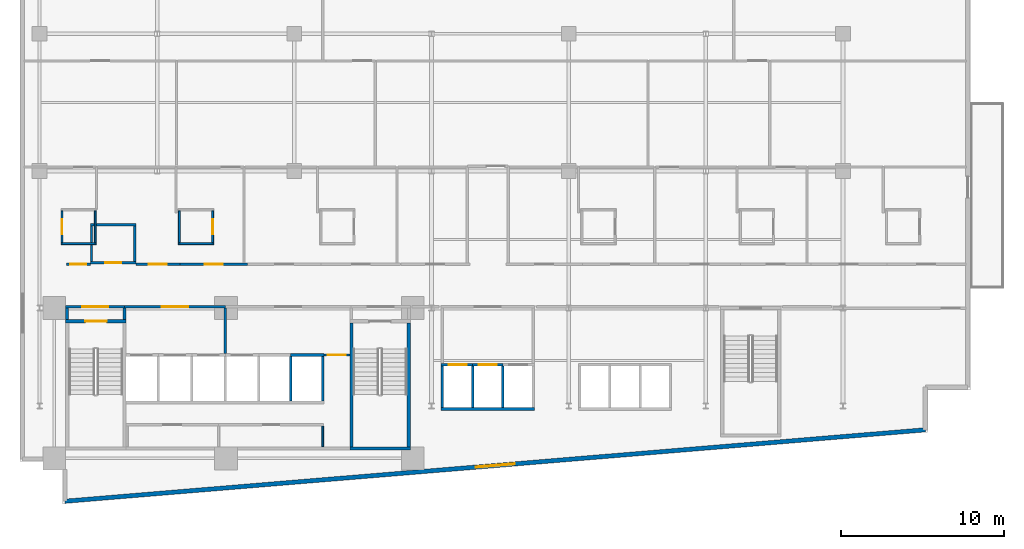
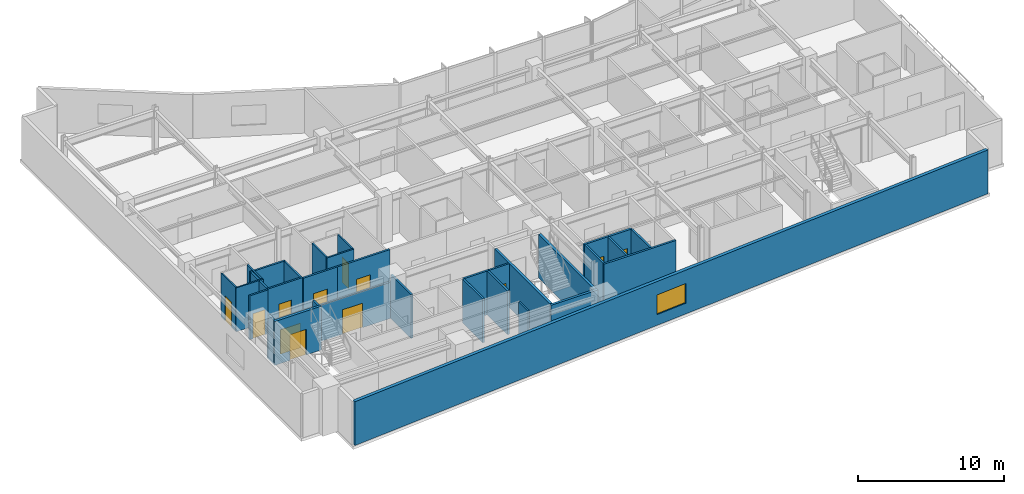
# One storey, part 10 of 19: 34 walls, 12 doors, 1 window, 13 openings.
"""IFC4 building model written with IfcOpenShell, lengths in metres."""

from ifc_helpers import new_model, si_unit, direction, frame, frame_2d, origin, place, context, subcontext, project, spatial, rectangle, extrude, material, layer, layer_set, type_object, element, fill, save


model = new_model("IFC4")

# Units and contexts
model_context = context("Model", 3, precision=1e-05, world=origin(), true_north=direction((0.0, 1.0)))
body_context = subcontext(model_context, "Body", "Model", "MODEL_VIEW")
ifc_project = project(units=[si_unit("LENGTHUNIT", "METRE"), si_unit("AREAUNIT", "SQUARE_METRE"), si_unit("VOLUMEUNIT", "CUBIC_METRE"), si_unit("PLANEANGLEUNIT", "RADIAN"), si_unit("MASSUNIT", "GRAM", prefix="KILO")], contexts=[model_context])

# Site, building, storey
site_placement = place(None, origin())
site = spatial("IfcSite", under=ifc_project, at=site_placement, CompositionType="ELEMENT")
building_placement = place(site_placement, origin())
building = spatial("IfcBuilding", under=site, at=building_placement, Name="Varnakote Quay Hospital", CompositionType="ELEMENT")
storey_placement = place(building_placement, frame((0.0, 0.0, 93.60009765625)))
storey = spatial("IfcBuildingStorey", under=building, at=storey_placement, Name="L23", CompositionType="ELEMENT", Elevation=93.60009765625)

# Wall
ifc_material_1 = material(Name="Fire-rated acoustic gypsum stud wall", Category="gypsum")
ifc_layer_1 = layer(ifc_material_1, 0.159912109375)
ifc_layer_set_1 = layer_set([ifc_layer_1], Name="Fire-rated acoustic gypsum stud wall")
wall_type_1 = type_object("IfcWallType", Name="WL-COMP-160", PredefinedType="PARTITIONING", material=ifc_layer_set_1)
wall_1_placement = place(storey_placement, frame((2.8798828125, 11.300048828125, 0.0), z_axis=(0.0, 0.0, 1.0), x_axis=(0.0, 1.0, 0.0)))
element("IfcWall", 1, at=wall_1_placement, inside=storey, type_object=wall_type_1, Name="L23 West Stair Vestibule West Wall", PredefinedType="PARTITIONING", context=body_context, shape_type="SweptSolid", body=[
    extrude(rectangle(XDim=0.699951171875, YDim=0.159912109375, at=frame_2d((0.35009765625, 0.0))), origin(), (0.0, 0.0, 1.0), 3.669921875),
])

# Wall, opening, door
wall_2_placement = place(storey_placement, frame((2.800048828125, 12.080078125, 0.0), z_axis=(0.0, 0.0, 1.0), x_axis=(1.0, 0.0, 0.0)))
wall_2 = element("IfcWall", 2, at=wall_2_placement, inside=storey, type_object=wall_type_1, Name="L23 West Stair Vestibule Smoke Wall", PredefinedType="PARTITIONING", context=body_context, shape_type="SweptSolid", body=[
    extrude(rectangle(XDim=3.599853515625, YDim=0.159912109375, at=frame_2d((1.7998046875, 0.0))), origin(), (0.0, 0.0, 1.0), 3.032958984375),
])
opening_1_placement = place(wall_2_placement, frame((1.0, 0.0, 0.0)))
opening_1 = element("IfcOpeningElement", 3, at=opening_1_placement, cuts=wall_2, Name="Opening D-ST1L-L23", PredefinedType="OPENING", context=body_context, shape_type="SweptSolid", body=[
    extrude(rectangle(XDim=1.60009765625, YDim=2.050048828125, at=frame_2d((0.800048828125, 1.02490234375))), frame((0.0, 0.08984375, 0.0), z_axis=(0.0, -1.0, 0.0), x_axis=(1.0, 0.0, 0.0)), (0.0, 0.0, 1.0), 0.179931640625),
])
ifc_material_2 = material(Name="Fire-rated double smoke lobby door")
door_type_1 = type_object("IfcDoorType", Name="DR-LOBBY-FD60S-1600x2150", OperationType="NOTDEFINED", PredefinedType="DOOR", material=ifc_material_2)
door_1_placement = place(opening_1_placement, origin())
door_1 = element("IfcDoor", 4, at=door_1_placement, inside=storey, type_object=door_type_1, Name="L23 West Stair Vestibule Smoke Door", OperationType="DOUBLE_DOOR_SINGLE_SWING", OverallHeight=2.050048828125, OverallWidth=1.60009765625, PredefinedType="DOOR", context=body_context, shape_type="SweptSolid", body=[
    extrude(rectangle(XDim=1.60009765625, YDim=2.050048828125, at=frame_2d((0.800048828125, 1.02490234375))), frame((0.0, 0.02490234375, 0.0), z_axis=(0.0, -1.0, 0.0), x_axis=(1.0, 0.0, 0.0)), (0.0, 0.0, 1.0), 0.050048828125),
])
fill(opening_1, door_1)

# Wall
wall_3_placement = place(storey_placement, frame((6.39990234375, 11.300048828125, 0.0), z_axis=(0.0, 0.0, 1.0), x_axis=(0.0, 1.0, 0.0)))
element("IfcWall", 5, at=wall_3_placement, inside=storey, type_object=wall_type_1, Name="L23 Firefighting Lobby West Wall", PredefinedType="PARTITIONING", context=body_context, shape_type="SweptSolid", body=[
    extrude(rectangle(XDim=0.699951171875, YDim=0.159912109375, at=frame_2d((0.35009765625, 0.0))), origin(), (0.0, 0.0, 1.0), 3.669921875),
])

# Wall, opening, door
wall_4_placement = place(storey_placement, frame((6.39990234375, 12.080078125, 0.0), z_axis=(0.0, 0.0, 1.0), x_axis=(1.0, 0.0, 0.0)))
wall_4 = element("IfcWall", 6, at=wall_4_placement, inside=storey, type_object=wall_type_1, Name="L23 Firefighting Lift Lobby Compartment Wall", PredefinedType="PARTITIONING", context=body_context, shape_type="SweptSolid", body=[
    extrude(rectangle(XDim=6.18017578125, YDim=0.159912109375, at=frame_2d((3.090087890625, 0.0))), origin(), (0.0, 0.0, 1.0), 3.032958984375),
])
opening_2_placement = place(wall_4_placement, frame((2.2900390625, 0.0, 0.0)))
opening_2 = element("IfcOpeningElement", 7, at=opening_2_placement, cuts=wall_4, Name="Opening D-FFL-L23", PredefinedType="OPENING", context=body_context, shape_type="SweptSolid", body=[
    extrude(rectangle(XDim=1.60009765625, YDim=2.050048828125, at=frame_2d((0.800048828125, 1.02490234375))), frame((0.0, 0.08984375, 0.0), z_axis=(0.0, -1.0, 0.0), x_axis=(1.0, 0.0, 0.0)), (0.0, 0.0, 1.0), 0.179931640625),
])
door_2_placement = place(opening_2_placement, origin())
door_2 = element("IfcDoor", 8, at=door_2_placement, inside=storey, type_object=door_type_1, Name="L23 Firefighting Smoke Vestibule Door", OperationType="DOUBLE_DOOR_SINGLE_SWING", OverallHeight=2.050048828125, OverallWidth=1.60009765625, PredefinedType="DOOR", context=body_context, shape_type="SweptSolid", body=[
    extrude(rectangle(XDim=1.60009765625, YDim=2.050048828125, at=frame_2d((0.800048828125, 1.02490234375))), frame((0.0, 0.02490234375, 0.0), z_axis=(0.0, -1.0, 0.0), x_axis=(1.0, 0.0, 0.0)), (0.0, 0.0, 1.0), 0.050048828125),
])
fill(opening_2, door_2)

# Walls
wall_5_placement = place(storey_placement, frame((12.580078125, 9.2099609375, 0.0), z_axis=(0.0, 0.0, 1.0), x_axis=(0.0, 1.0, 0.0)))
element("IfcWall", 9, at=wall_5_placement, inside=storey, type_object=wall_type_1, Name="L23 Firefighting to Service Lobby Wall", PredefinedType="PARTITIONING", context=body_context, shape_type="SweptSolid", body=[
    extrude(rectangle(XDim=2.7900390625, YDim=0.159912109375, at=frame_2d((1.39501953125, 0.0))), origin(), (0.0, 0.0, 1.0), 3.669921875),
])
ifc_material_3 = material(Name="Moisture-resistant bathroom partition", Category="gypsum")
ifc_layer_2 = layer(ifc_material_3, 0.114990234375)
ifc_layer_set_2 = layer_set([ifc_layer_2], Name="Moisture-resistant bathroom partition")
wall_type_2 = type_object("IfcWallType", Name="WL-ENS-115", PredefinedType="PARTITIONING", material=ifc_layer_set_2)
wall_6_placement = place(storey_placement, frame((2.514892578125, 15.952392578125, 0.0), z_axis=(0.0, 0.0, 1.0), x_axis=(1.0, 0.0, 0.0)))
element("IfcWall", 10, at=wall_6_placement, inside=storey, type_object=wall_type_2, Name="L23 Inpatient En-Suite Bathroom 01 S Wall", PredefinedType="PARTITIONING", context=body_context, shape_type="SweptSolid", body=[
    extrude(rectangle(XDim=2.150146484375, YDim=0.114990234375, at=frame_2d((1.0751953125, 0.0))), origin(), (0.0, 0.0, 1.0), 3.669921875),
])

# Wall, opening, door
wall_7_placement = place(storey_placement, frame((2.572509765625, 16.010009765625, 0.0), z_axis=(0.0, 0.0, 1.0), x_axis=(0.0, 1.0, 0.0)))
wall_7 = element("IfcWall", 11, at=wall_7_placement, inside=storey, type_object=wall_type_2, Name="L23 Inpatient En-Suite Bathroom 01 W Wall", PredefinedType="PARTITIONING", context=body_context, shape_type="SweptSolid", body=[
    extrude(rectangle(XDim=1.949951171875, YDim=0.114990234375, at=frame_2d((0.97509765625, 0.0))), origin(), (0.0, 0.0, 1.0), 3.669921875),
])
opening_3_placement = place(wall_7_placement, frame((0.514892578125, 0.0, 0.0)))
opening_3 = element("IfcOpeningElement", 12, at=opening_3_placement, cuts=wall_7, Name="Opening D-L23-ENS01", PredefinedType="OPENING", context=body_context, shape_type="SweptSolid", body=[
    extrude(rectangle(XDim=0.919921875, YDim=2.10009765625, at=frame_2d((0.4599609375, 1.050048828125))), frame((0.0, 0.0673828125, 0.0), z_axis=(0.0, -1.0, 0.0), x_axis=(1.0, 0.0, 0.0)), (0.0, 0.0, 1.0), 0.135009765625),
])
ifc_material_4 = material(Name="Moisture-sealed en-suite bathroom door")
door_type_2 = type_object("IfcDoorType", Name="DR-ENS-920x2100", OperationType="NOTDEFINED", PredefinedType="DOOR", material=ifc_material_4)
door_3_placement = place(opening_3_placement, origin())
door_3 = element("IfcDoor", 13, at=door_3_placement, inside=storey, type_object=door_type_2, Name="L23 Inpatient En-Suite Bathroom 01 Door", OperationType="SINGLE_SWING_LEFT", OverallHeight=2.10009765625, OverallWidth=0.919921875, PredefinedType="DOOR", context=body_context, shape_type="SweptSolid", body=[
    extrude(rectangle(XDim=0.919921875, YDim=2.10009765625, at=frame_2d((0.4599609375, 1.050048828125))), frame((0.0, 0.02490234375, 0.0), z_axis=(0.0, -1.0, 0.0), x_axis=(1.0, 0.0, 0.0)), (0.0, 0.0, 1.0), 0.050048828125),
])
fill(opening_3, door_3)

# Walls
wall_8_placement = place(storey_placement, frame((4.607421875, 16.010009765625, 0.0), z_axis=(0.0, 0.0, 1.0), x_axis=(0.0, 1.0, 0.0)))
element("IfcWall", 14, at=wall_8_placement, inside=storey, type_object=wall_type_2, Name="L23 Inpatient En-Suite Bathroom 01 E Wall", PredefinedType="PARTITIONING", context=body_context, shape_type="SweptSolid", body=[
    extrude(rectangle(XDim=1.949951171875, YDim=0.114990234375, at=frame_2d((0.97509765625, 0.0))), origin(), (0.0, 0.0, 1.0), 3.669921875),
])
wall_9_placement = place(storey_placement, frame((9.705078125, 15.952392578125, 0.0), z_axis=(0.0, 0.0, 1.0), x_axis=(1.0, 0.0, 0.0)))
element("IfcWall", 15, at=wall_9_placement, inside=storey, type_object=wall_type_2, Name="L23 Inpatient En-Suite Bathroom 02 S Wall", PredefinedType="PARTITIONING", context=body_context, shape_type="SweptSolid", body=[
    extrude(rectangle(XDim=2.14990234375, YDim=0.114990234375, at=frame_2d((1.074951171875, 0.0))), origin(), (0.0, 0.0, 1.0), 3.669921875),
])
wall_10_placement = place(storey_placement, frame((9.762451171875, 16.010009765625, 0.0), z_axis=(0.0, 0.0, 1.0), x_axis=(0.0, 1.0, 0.0)))
element("IfcWall", 16, at=wall_10_placement, inside=storey, type_object=wall_type_2, Name="L23 Inpatient En-Suite Bathroom 02 W Wall", PredefinedType="PARTITIONING", context=body_context, shape_type="SweptSolid", body=[
    extrude(rectangle(XDim=1.949951171875, YDim=0.114990234375, at=frame_2d((0.97509765625, 0.0))), origin(), (0.0, 0.0, 1.0), 3.669921875),
])

# Wall, opening, door
wall_11_placement = place(storey_placement, frame((11.797607421875, 16.010009765625, 0.0), z_axis=(0.0, 0.0, 1.0), x_axis=(0.0, 1.0, 0.0)))
wall_11 = element("IfcWall", 17, at=wall_11_placement, inside=storey, type_object=wall_type_2, Name="L23 Inpatient En-Suite Bathroom 02 E Wall", PredefinedType="PARTITIONING", context=body_context, shape_type="SweptSolid", body=[
    extrude(rectangle(XDim=1.949951171875, YDim=0.114990234375, at=frame_2d((0.97509765625, 0.0))), origin(), (0.0, 0.0, 1.0), 3.669921875),
])
opening_4_placement = place(wall_11_placement, frame((0.514892578125, 0.0, 0.0)))
opening_4 = element("IfcOpeningElement", 18, at=opening_4_placement, cuts=wall_11, Name="Opening D-L23-ENS02", PredefinedType="OPENING", context=body_context, shape_type="SweptSolid", body=[
    extrude(rectangle(XDim=0.919921875, YDim=2.10009765625, at=frame_2d((0.4599609375, 1.050048828125))), frame((0.0, 0.0673828125, 0.0), z_axis=(0.0, -1.0, 0.0), x_axis=(1.0, 0.0, 0.0)), (0.0, 0.0, 1.0), 0.135009765625),
])
door_4_placement = place(opening_4_placement, origin())
door_4 = element("IfcDoor", 19, at=door_4_placement, inside=storey, type_object=door_type_2, Name="L23 Inpatient En-Suite Bathroom 02 Door", OperationType="SINGLE_SWING_RIGHT", OverallHeight=2.10009765625, OverallWidth=0.919921875, PredefinedType="DOOR", context=body_context, shape_type="SweptSolid", body=[
    extrude(rectangle(XDim=0.919921875, YDim=2.10009765625, at=frame_2d((0.4599609375, 1.050048828125))), frame((0.0, 0.02490234375, 0.0), z_axis=(0.0, -1.0, 0.0), x_axis=(1.0, 0.0, 0.0)), (0.0, 0.0, 1.0), 0.050048828125),
])
fill(opening_4, door_4)

# Wall, opening, window
ifc_material_5 = material(Name="Precast concrete N50 (f'c 50 MPa)", Category="concrete")
ifc_layer_3 = layer(ifc_material_5, 0.260009765625)
ifc_layer_set_3 = layer_set([ifc_layer_3], Name="Precast concrete N50 (f'c 50 MPa)")
wall_type_3 = type_object("IfcWallType", Name="WL-EXT-BRICK-260", PredefinedType="STANDARD", material=ifc_layer_set_3)
wall_12_placement = place(storey_placement, frame((2.760009765625, 0.173828125, 0.0), z_axis=(0.0, 0.0, 1.0), x_axis=(0.996571478456, 0.082736257641, 0.0)))
wall_12 = element("IfcWall", 20, at=wall_12_placement, inside=storey, type_object=wall_type_3, Name="L23 Brick-Faced Precast Exterior Wall", PredefinedType="STANDARD", context=body_context, shape_type="SweptSolid", body=[
    extrude(rectangle(XDim=52.861083984375, YDim=0.260009765625, at=frame_2d((26.4306640625, 0.0))), origin(), (0.0, 0.0, 1.0), 3.669921875),
])
opening_5_placement = place(wall_12_placement, frame((25.230712890625, 0.0, 0.89990234375)))
opening_5 = element("IfcOpeningElement", 21, at=opening_5_placement, cuts=wall_12, Name="Opening WN-0106", PredefinedType="OPENING", context=body_context, shape_type="SweptSolid", body=[
    extrude(rectangle(XDim=2.39990234375, YDim=1.64990234375, at=frame_2d((1.199951171875, 0.824951171875))), frame((0.0, 0.139892578125, 0.0), z_axis=(0.0, -1.0, 0.0), x_axis=(1.0, 0.0, 0.0)), (0.0, 0.0, 1.0), 0.280029296875),
])
ifc_material_6 = material(Name="Double-glazed low-E solar glass", Category="glass")
window_type = type_object("IfcWindowType", Name="WIN-CLIN-2400x1650", PartitioningType="SINGLE_PANEL", PredefinedType="WINDOW", material=ifc_material_6)
window_placement = place(opening_5_placement, origin())
window = element("IfcWindow", 22, at=window_placement, inside=storey, type_object=window_type, Name="L23 Solar-Control Clinical Window", OverallHeight=1.64990234375, OverallWidth=2.39990234375, PartitioningType="SINGLE_PANEL", PredefinedType="WINDOW", context=body_context, shape_type="SweptSolid", body=[
    extrude(rectangle(XDim=2.39990234375, YDim=1.64990234375, at=frame_2d((1.199951171875, 0.824951171875))), frame((0.0, 0.030029296875, 0.0), z_axis=(0.0, -1.0, 0.0), x_axis=(1.0, 0.0, 0.0)), (0.0, 0.0, 1.0), 0.06005859375),
])
fill(opening_5, window)

# Walls
ifc_material_7 = material(Name="Concrete N50 (f'c 50 MPa)", Category="concrete")
ifc_layer_4 = layer(ifc_material_7, 0.14990234375)
ifc_layer_set_4 = layer_set([ifc_layer_4], Name="Concrete N50 (f'c 50 MPa)")
wall_type_4 = type_object("IfcWallType", Name="WL-SHAFT-N50-150", PredefinedType="SHEAR", material=ifc_layer_set_4)
wall_13_placement = place(storey_placement, frame((16.574951171875, 6.300048828125, 0.0), z_axis=(0.0, 0.0, 1.0), x_axis=(0.0, 1.0, 0.0)))
element("IfcWall", 23, at=wall_13_placement, inside=storey, type_object=wall_type_4, Name="L23 LF-PH1 Hoistway Divider Wall", PredefinedType="SHEAR", context=body_context, shape_type="SweptSolid", body=[
    extrude(rectangle(XDim=2.75, YDim=0.14990234375, at=frame_2d((1.375, 0.0))), origin(), (0.0, 0.0, 1.0), 3.669921875),
])
for number, where, z_axis, x_axis, name in (
    (24, (27.72509765625, 5.89990234375, 0.0), (0.0, 0.0, 1.0), (0.0, 1.0, 0.0), "L23 LF-PL1 Hoistway Divider Wall"),
    (25, (29.574951171875, 5.89990234375, 0.0), (0.0, 0.0, 1.0), (0.0, 1.0, 0.0), "L23 LF-PL2 Hoistway Divider Wall"),
):
    element("IfcWall", number, at=place(storey_placement, frame(where, z_axis=z_axis, x_axis=x_axis)), inside=storey, type_object=wall_type_4, Name=name, PredefinedType="SHEAR", context=body_context, shape_type="SweptSolid", body=[
        extrude(rectangle(XDim=2.550048828125, YDim=0.14990234375, at=frame_2d((1.27490234375, 0.0))), origin(), (0.0, 0.0, 1.0), 3.669921875),
    ])
ifc_material_8 = material(Name="Concrete N50 (f'c 50 MPa)", Category="concrete")
ifc_layer_5 = layer(ifc_material_8, 0.159912109375)
ifc_layer_set_5 = layer_set([ifc_layer_5], Name="Concrete N50 (f'c 50 MPa)")
wall_type_5 = type_object("IfcWallType", Name="WL-SHAFT-N50-160", PredefinedType="SHEAR", material=ifc_layer_set_5)
wall_14_placement = place(storey_placement, frame((18.530029296875, 6.300048828125, 0.0), z_axis=(0.0, 0.0, 1.0), x_axis=(0.0, 1.0, 0.0)))
element("IfcWall", 26, at=wall_14_placement, inside=storey, type_object=wall_type_5, Name="L23 REAR Lift Bank East Shear Wall", PredefinedType="SHEAR", context=body_context, shape_type="SweptSolid", body=[
    extrude(rectangle(XDim=2.75, YDim=0.159912109375, at=frame_2d((1.375, 0.0))), origin(), (0.0, 0.0, 1.0), 3.669921875),
])
wall_15_placement = place(storey_placement, frame((16.574951171875, 9.1298828125, 0.0), z_axis=(0.0, 0.0, 1.0), x_axis=(1.0, 0.0, 0.0)))
element("IfcWall", 27, at=wall_15_placement, inside=storey, type_object=wall_type_5, Name="L23 LF-PH2 Hoistway Front Wall", PredefinedType="SHEAR", context=body_context, shape_type="SweptSolid", body=[
    extrude(rectangle(XDim=2.03515625, YDim=0.159912109375, at=frame_2d((1.017578125, 0.0))), origin(), (0.0, 0.0, 1.0), 3.669921875),
])
wall_16_placement = place(storey_placement, frame((25.7900390625, 5.820068359375, 0.0), z_axis=(0.0, 0.0, 1.0), x_axis=(1.0, 0.0, 0.0)))
element("IfcWall", 28, at=wall_16_placement, inside=storey, type_object=wall_type_5, Name="L23 LOW Lift Bank Back Shear Wall", PredefinedType="SHEAR", context=body_context, shape_type="SweptSolid", body=[
    extrude(rectangle(XDim=5.719970703125, YDim=0.159912109375, at=frame_2d((2.85986328125, 0.0))), origin(), (0.0, 0.0, 1.0), 3.669921875),
])
wall_17_placement = place(storey_placement, frame((25.8701171875, 5.89990234375, 0.0), z_axis=(0.0, 0.0, 1.0), x_axis=(0.0, 1.0, 0.0)))
element("IfcWall", 29, at=wall_17_placement, inside=storey, type_object=wall_type_5, Name="L23 LOW Lift Bank West Shear Wall", PredefinedType="SHEAR", context=body_context, shape_type="SweptSolid", body=[
    extrude(rectangle(XDim=2.550048828125, YDim=0.159912109375, at=frame_2d((1.27490234375, 0.0))), origin(), (0.0, 0.0, 1.0), 3.669921875),
])

# Wall, opening, door
wall_18_placement = place(storey_placement, frame((25.7900390625, 8.530029296875, 0.0), z_axis=(0.0, 0.0, 1.0), x_axis=(1.0, 0.0, 0.0)))
wall_18 = element("IfcWall", 30, at=wall_18_placement, inside=storey, type_object=wall_type_5, Name="L23 LF-PL1 Hoistway Front Wall", PredefinedType="SHEAR", context=body_context, shape_type="SweptSolid", body=[
    extrude(rectangle(XDim=1.93505859375, YDim=0.159912109375, at=frame_2d((0.967529296875, 0.0))), origin(), (0.0, 0.0, 1.0), 3.669921875),
])
opening_6_placement = place(wall_18_placement, frame((0.4599609375, 0.0, 0.0)))
opening_6 = element("IfcOpeningElement", 31, at=opening_6_placement, cuts=wall_18, Name="Opening LD-PL1-L23", PredefinedType="OPENING", context=body_context, shape_type="SweptSolid", body=[
    extrude(rectangle(XDim=1.10009765625, YDim=2.14990234375, at=frame_2d((0.550048828125, 1.074951171875))), frame((0.0, 0.08984375, 0.0), z_axis=(0.0, -1.0, 0.0), x_axis=(1.0, 0.0, 0.0)), (0.0, 0.0, 1.0), 0.179931640625),
])
ifc_material_9 = material(Name="Brushed bronze lift landing sliding door")
door_type_3 = type_object("IfcDoorType", Name="DR-LIFT-LD-1100x2150", OperationType="NOTDEFINED", PredefinedType="DOOR", material=ifc_material_9)
door_5_placement = place(opening_6_placement, origin())
door_5 = element("IfcDoor", 32, at=door_5_placement, inside=storey, type_object=door_type_3, Name="L23 LF-PL1 Lift Landing Sliding Door", OperationType="SLIDING_TO_LEFT", OverallHeight=2.14990234375, OverallWidth=1.10009765625, PredefinedType="DOOR", context=body_context, shape_type="SweptSolid", body=[
    extrude(rectangle(XDim=1.10009765625, YDim=2.14990234375, at=frame_2d((0.550048828125, 1.074951171875))), frame((0.0, 0.02490234375, 0.0), z_axis=(0.0, -1.0, 0.0), x_axis=(1.0, 0.0, 0.0)), (0.0, 0.0, 1.0), 0.050048828125),
])
fill(opening_6, door_5)

wall_19_placement = place(storey_placement, frame((27.72509765625, 8.530029296875, 0.0), z_axis=(0.0, 0.0, 1.0), x_axis=(1.0, 0.0, 0.0)))
wall_19 = element("IfcWall", 33, at=wall_19_placement, inside=storey, type_object=wall_type_5, Name="L23 LF-PL2 Hoistway Front Wall", PredefinedType="SHEAR", context=body_context, shape_type="SweptSolid", body=[
    extrude(rectangle(XDim=1.849853515625, YDim=0.159912109375, at=frame_2d((0.9248046875, 0.0))), origin(), (0.0, 0.0, 1.0), 3.669921875),
])
opening_7_placement = place(wall_19_placement, frame((0.375, 0.0, 0.0)))
opening_7 = element("IfcOpeningElement", 34, at=opening_7_placement, cuts=wall_19, Name="Opening LD-PL2-L23", PredefinedType="OPENING", context=body_context, shape_type="SweptSolid", body=[
    extrude(rectangle(XDim=1.10009765625, YDim=2.14990234375, at=frame_2d((0.550048828125, 1.074951171875))), frame((0.0, 0.08984375, 0.0), z_axis=(0.0, -1.0, 0.0), x_axis=(1.0, 0.0, 0.0)), (0.0, 0.0, 1.0), 0.179931640625),
])
door_6_placement = place(opening_7_placement, origin())
door_6 = element("IfcDoor", 35, at=door_6_placement, inside=storey, type_object=door_type_3, Name="L23 LF-PL2 Lift Landing Sliding Door", OperationType="SLIDING_TO_LEFT", OverallHeight=2.14990234375, OverallWidth=1.10009765625, PredefinedType="DOOR", context=body_context, shape_type="SweptSolid", body=[
    extrude(rectangle(XDim=1.10009765625, YDim=2.14990234375, at=frame_2d((0.550048828125, 1.074951171875))), frame((0.0, 0.02490234375, 0.0), z_axis=(0.0, -1.0, 0.0), x_axis=(1.0, 0.0, 0.0)), (0.0, 0.0, 1.0), 0.050048828125),
])
fill(opening_7, door_6)

ifc_material_10 = material(Name="Concrete N50 (f'c 50 MPa)", Category="concrete")
ifc_layer_6 = layer(ifc_material_10, 0.199951171875)
ifc_layer_set_6 = layer_set([ifc_layer_6], Name="Concrete N50 (f'c 50 MPa)")
wall_type_6 = type_object("IfcWallType", Name="WL-SHAFT-N50-200", PredefinedType="SHEAR", material=ifc_layer_set_6)
wall_20_placement = place(storey_placement, frame((2.800048828125, 11.199951171875, 0.0), z_axis=(0.0, 0.0, 1.0), x_axis=(1.0, 0.0, 0.0)))
wall_20 = element("IfcWall", 36, at=wall_20_placement, inside=storey, type_object=wall_type_6, Name="L23 Stair ST1 Exit Wall", PredefinedType="SHEAR", context=body_context, shape_type="SweptSolid", body=[
    extrude(rectangle(XDim=3.699951171875, YDim=0.199951171875, at=frame_2d((1.85009765625, 0.0))), origin(), (0.0, 0.0, 1.0), 3.669921875),
])
opening_8_placement = place(wall_20_placement, frame((1.199951171875, 0.0, 0.0)))
opening_8 = element("IfcOpeningElement", 37, at=opening_8_placement, cuts=wall_20, Name="Opening D-ST1-L23", PredefinedType="OPENING", context=body_context, shape_type="SweptSolid", body=[
    extrude(rectangle(XDim=1.300048828125, YDim=2.14990234375, at=frame_2d((0.64990234375, 1.074951171875))), frame((0.0, 0.10986328125, 0.0), z_axis=(0.0, -1.0, 0.0), x_axis=(1.0, 0.0, 0.0)), (0.0, 0.0, 1.0), 0.219970703125),
])
ifc_material_11 = material(Name="Fire-rated ceramic-glazed timber exit door", Category="wood")
door_type_4 = type_object("IfcDoorType", Name="DR-STAIR-FD60S-1300x2150", OperationType="NOTDEFINED", PredefinedType="DOOR", material=ifc_material_11)
door_7_placement = place(opening_8_placement, origin())
door_7 = element("IfcDoor", 38, at=door_7_placement, inside=storey, type_object=door_type_4, Name="L23 Stair ST1 Fire Exit Door", OperationType="SINGLE_SWING_RIGHT", OverallHeight=2.14990234375, OverallWidth=1.300048828125, PredefinedType="DOOR", context=body_context, shape_type="SweptSolid", body=[
    extrude(rectangle(XDim=1.300048828125, YDim=2.14990234375, at=frame_2d((0.64990234375, 1.074951171875))), frame((0.0, 0.02490234375, 0.0), z_axis=(0.0, -1.0, 0.0), x_axis=(1.0, 0.0, 0.0)), (0.0, 0.0, 1.0), 0.050048828125),
])
fill(opening_8, door_7)

# Walls
wall_21_placement = place(storey_placement, frame((20.199951171875, 3.39990234375, 0.0), z_axis=(0.0, 0.0, 1.0), x_axis=(1.0, 0.0, 0.0)))
element("IfcWall", 39, at=wall_21_placement, inside=storey, type_object=wall_type_6, Name="L23 Stair ST2 South Shaft Wall", PredefinedType="SHEAR", context=body_context, shape_type="SweptSolid", body=[
    extrude(rectangle(XDim=3.699951171875, YDim=0.199951171875, at=frame_2d((1.85009765625, 0.0))), origin(), (0.0, 0.0, 1.0), 3.669921875),
])
for number, where, z_axis, x_axis, name in (
    (40, (20.300048828125, 3.5, 0.0), (0.0, 0.0, 1.0), (0.0, 1.0, 0.0), "L23 Stair ST2 West Shaft Wall"),
    (41, (23.800048828125, 3.5, 0.0), (0.0, 0.0, 1.0), (0.0, 1.0, 0.0), "L23 Stair ST2 East Shaft Wall"),
):
    element("IfcWall", number, at=place(storey_placement, frame(where, z_axis=z_axis, x_axis=x_axis)), inside=storey, type_object=wall_type_6, Name=name, PredefinedType="SHEAR", context=body_context, shape_type="SweptSolid", body=[
        extrude(rectangle(XDim=7.60009765625, YDim=0.199951171875, at=frame_2d((3.800048828125, 0.0))), origin(), (0.0, 0.0, 1.0), 3.669921875),
    ])
ifc_material_12 = material(Name="Smoke-proof clinical partition", Category="gypsum")
ifc_layer_7 = layer(ifc_material_12, 0.1201171875)
ifc_layer_set_7 = layer_set([ifc_layer_7], Name="Smoke-proof clinical partition")
wall_type_7 = type_object("IfcWallType", Name="WL-SMOKE-120", PredefinedType="PARTITIONING", material=ifc_layer_set_7)
wall_22_placement = place(storey_placement, frame((18.5400390625, 3.52001953125, 0.0), z_axis=(0.0, 0.0, 1.0), x_axis=(0.0, 1.0, 0.0)))
element("IfcWall", 42, at=wall_22_placement, inside=storey, type_object=wall_type_7, Name="L23 Core South Service East Wall", PredefinedType="PARTITIONING", context=body_context, shape_type="SweptSolid", body=[
    extrude(rectangle(XDim=1.260009765625, YDim=0.1201171875, at=frame_2d((0.6298828125, 0.0))), origin(), (0.0, 0.0, 1.0), 3.669921875),
])

# Wall, opening, door
ifc_material_13 = material(Name="Fire-rated clinical gypsum partition", Category="gypsum")
ifc_layer_8 = layer(ifc_material_13, 0.139892578125)
ifc_layer_set_8 = layer_set([ifc_layer_8], Name="Fire-rated clinical gypsum partition")
wall_type_8 = type_object("IfcWallType", Name="WL-WARD-140", PredefinedType="PARTITIONING", material=ifc_layer_set_8)
wall_23_placement = place(storey_placement, frame((18.610107421875, 9.1298828125, 0.0), z_axis=(0.0, 0.0, 1.0), x_axis=(1.0, 0.0, 0.0)))
wall_23 = element("IfcWall", 43, at=wall_23_placement, inside=storey, type_object=wall_type_8, Name="L23 Core Service Corridor North Door Wall", PredefinedType="PARTITIONING", context=body_context, shape_type="SweptSolid", body=[
    extrude(rectangle(XDim=1.58984375, YDim=0.139892578125, at=frame_2d((0.794921875, 0.0))), origin(), (0.0, 0.0, 1.0), 3.669921875),
])
opening_9_placement = place(wall_23_placement, frame((0.239990234375, 0.0, 0.0)))
opening_9 = element("IfcOpeningElement", 44, at=opening_9_placement, cuts=wall_23, Name="Opening D-CSRV-L23", PredefinedType="OPENING", context=body_context, shape_type="SweptSolid", body=[
    extrude(rectangle(XDim=1.10009765625, YDim=2.10009765625, at=frame_2d((0.550048828125, 1.050048828125))), frame((0.0, 0.079833984375, 0.0), z_axis=(0.0, -1.0, 0.0), x_axis=(1.0, 0.0, 0.0)), (0.0, 0.0, 1.0), 0.159912109375),
])
ifc_material_14 = material(Name="Acoustic timber clinical consult door", Category="wood")
door_type_5 = type_object("IfcDoorType", Name="DR-CLIN-FD30S-1100x2100", OperationType="NOTDEFINED", PredefinedType="DOOR", material=ifc_material_14)
door_8_placement = place(opening_9_placement, origin())
door_8 = element("IfcDoor", 45, at=door_8_placement, inside=storey, type_object=door_type_5, Name="L23 Core Service Corridor Door", OperationType="SINGLE_SWING_LEFT", OverallHeight=2.10009765625, OverallWidth=1.10009765625, PredefinedType="DOOR", context=body_context, shape_type="SweptSolid", body=[
    extrude(rectangle(XDim=1.10009765625, YDim=2.10009765625, at=frame_2d((0.550048828125, 1.050048828125))), frame((0.0, 0.02490234375, 0.0), z_axis=(0.0, -1.0, 0.0), x_axis=(1.0, 0.0, 0.0)), (0.0, 0.0, 1.0), 0.050048828125),
])
fill(opening_9, door_8)

wall_24_placement = place(storey_placement, frame((4.31005859375, 14.77001953125, 0.0), z_axis=(0.0, 0.0, 1.0), x_axis=(1.0, 0.0, 0.0)))
wall_24 = element("IfcWall", 46, at=wall_24_placement, inside=storey, type_object=wall_type_8, Name="L23 Floor Unisex Accessible WC S Wall", PredefinedType="PARTITIONING", context=body_context, shape_type="SweptSolid", body=[
    extrude(rectangle(XDim=2.780029296875, YDim=0.139892578125, at=frame_2d((1.39013671875, 0.0))), origin(), (0.0, 0.0, 1.0), 3.669921875),
])
opening_10_placement = place(wall_24_placement, frame((0.89990234375, 0.0, 0.0)))
opening_10 = element("IfcOpeningElement", 47, at=opening_10_placement, cuts=wall_24, Name="Opening D-L23-EW01", PredefinedType="OPENING", context=body_context, shape_type="SweptSolid", body=[
    extrude(rectangle(XDim=0.97998046875, YDim=2.10009765625, at=frame_2d((0.489990234375, 1.050048828125))), frame((0.0, 0.079833984375, 0.0), z_axis=(0.0, -1.0, 0.0), x_axis=(1.0, 0.0, 0.0)), (0.0, 0.0, 1.0), 0.159912109375),
])
ifc_material_15 = material(Name="Accessible sanitary compartment door")
door_type_6 = type_object("IfcDoorType", Name="DR-WC-980x2100", OperationType="NOTDEFINED", PredefinedType="DOOR", material=ifc_material_15)
door_9_placement = place(opening_10_placement, origin())
door_9 = element("IfcDoor", 48, at=door_9_placement, inside=storey, type_object=door_type_6, Name="L23 Floor Unisex Accessible WC Door", OperationType="SINGLE_SWING_RIGHT", OverallHeight=2.10009765625, OverallWidth=0.97998046875, PredefinedType="DOOR", context=body_context, shape_type="SweptSolid", body=[
    extrude(rectangle(XDim=0.97998046875, YDim=2.10009765625, at=frame_2d((0.489990234375, 1.050048828125))), frame((0.0, 0.02490234375, 0.0), z_axis=(0.0, -1.0, 0.0), x_axis=(1.0, 0.0, 0.0)), (0.0, 0.0, 1.0), 0.050048828125),
])
fill(opening_10, door_9)

# Walls
wall_25_placement = place(storey_placement, frame((4.31005859375, 17.110107421875, 0.0), z_axis=(0.0, 0.0, 1.0), x_axis=(1.0, 0.0, 0.0)))
element("IfcWall", 49, at=wall_25_placement, inside=storey, type_object=wall_type_8, Name="L23 Floor Unisex Accessible WC N Wall", PredefinedType="PARTITIONING", context=body_context, shape_type="SweptSolid", body=[
    extrude(rectangle(XDim=2.780029296875, YDim=0.139892578125, at=frame_2d((1.39013671875, 0.0))), origin(), (0.0, 0.0, 1.0), 3.669921875),
])
for number, where, z_axis, x_axis, name in (
    (50, (4.3798828125, 14.840087890625, 0.0), (0.0, 0.0, 1.0), (0.0, 1.0, 0.0), "L23 Floor Unisex Accessible WC W Wall"),
    (51, (7.02001953125, 14.840087890625, 0.0), (0.0, 0.0, 1.0), (0.0, 1.0, 0.0), "L23 Floor Unisex Accessible WC E Wall"),
):
    element("IfcWall", number, at=place(storey_placement, frame(where, z_axis=z_axis, x_axis=x_axis)), inside=storey, type_object=wall_type_8, Name=name, PredefinedType="PARTITIONING", context=body_context, shape_type="SweptSolid", body=[
        extrude(rectangle(XDim=2.199951171875, YDim=0.139892578125, at=frame_2d((1.10009765625, 0.0))), origin(), (0.0, 0.0, 1.0), 3.669921875),
    ])

# Wall, opening, door
ifc_material_16 = material(Name="Fire-rated clinical gypsum partition", Category="gypsum")
ifc_layer_9 = layer(ifc_material_16, 0.14990234375)
ifc_layer_set_9 = layer_set([ifc_layer_9], Name="Fire-rated clinical gypsum partition")
wall_type_9 = type_object("IfcWallType", Name="WL-WARD-150", PredefinedType="PARTITIONING", material=ifc_layer_set_9)
wall_26_placement = place(storey_placement, frame((4.30810546875, 14.679931640625, 0.0), z_axis=(0.0, 0.0, 1.0), x_axis=(-1.0, 0.0, 0.0)))
wall_26 = element("IfcWall", 52, at=wall_26_placement, inside=storey, type_object=wall_type_9, Name="L23 Clinical Interior Partition", PredefinedType="PARTITIONING", context=body_context, shape_type="SweptSolid", body=[
    extrude(rectangle(XDim=1.4580078125, YDim=0.14990234375, at=frame_2d((0.72900390625, 0.0))), origin(), (0.0, 0.0, 1.0), 3.669921875),
])
opening_11_placement = place(wall_26_placement, frame((0.239013671875, 0.0, 0.0)))
opening_11 = element("IfcOpeningElement", 53, at=opening_11_placement, cuts=wall_26, Name="Opening D-L23-BR01", PredefinedType="OPENING", context=body_context, shape_type="SweptSolid", body=[
    extrude(rectangle(XDim=0.97998046875, YDim=2.10009765625, at=frame_2d((0.489990234375, 1.050048828125))), frame((0.0, 0.0849609375, 0.0), z_axis=(0.0, -1.0, 0.0), x_axis=(1.0, 0.0, 0.0)), (0.0, 0.0, 1.0), 0.169921875),
])
door_10_placement = place(opening_11_placement, origin())
door_10 = element("IfcDoor", 54, at=door_10_placement, inside=storey, type_object=door_type_6, Name="L23 Inpatient Clinical Treatment Room 01 Door", OperationType="SINGLE_SWING_RIGHT", OverallHeight=2.10009765625, OverallWidth=0.97998046875, PredefinedType="DOOR", context=body_context, shape_type="SweptSolid", body=[
    extrude(rectangle(XDim=0.97998046875, YDim=2.10009765625, at=frame_2d((0.489990234375, 1.050048828125))), frame((0.0, 0.02490234375, 0.0), z_axis=(0.0, -1.0, 0.0), x_axis=(1.0, 0.0, 0.0)), (0.0, 0.0, 1.0), 0.050048828125),
])
fill(opening_11, door_10)

wall_27_placement = place(storey_placement, frame((9.785888671875, 14.679931640625, 0.0), z_axis=(0.0, 0.0, 1.0), x_axis=(-1.0, 0.0, 0.0)))
wall_27 = element("IfcWall", 55, at=wall_27_placement, inside=storey, type_object=wall_type_9, Name="L23 Clinical Interior Partition", PredefinedType="PARTITIONING", context=body_context, shape_type="SweptSolid", body=[
    extrude(rectangle(XDim=2.69384765625, YDim=0.14990234375, at=frame_2d((1.346923828125, 0.0))), origin(), (0.0, 0.0, 1.0), 3.669921875),
])
opening_12_placement = place(wall_27_placement, frame((0.797119140625, 0.0, 0.0)))
opening_12 = element("IfcOpeningElement", 56, at=opening_12_placement, cuts=wall_27, Name="Opening D-L23-MD01", PredefinedType="OPENING", context=body_context, shape_type="SweptSolid", body=[
    extrude(rectangle(XDim=1.10009765625, YDim=2.10009765625, at=frame_2d((0.550048828125, 1.050048828125))), frame((0.0, 0.0849609375, 0.0), z_axis=(0.0, -1.0, 0.0), x_axis=(1.0, 0.0, 0.0)), (0.0, 0.0, 1.0), 0.169921875),
])
door_11_placement = place(opening_12_placement, origin())
door_11 = element("IfcDoor", 57, at=door_11_placement, inside=storey, type_object=door_type_5, Name="L23 High-Dependency Treatment Suite Door", OperationType="SINGLE_SWING_LEFT", OverallHeight=2.10009765625, OverallWidth=1.10009765625, PredefinedType="DOOR", context=body_context, shape_type="SweptSolid", body=[
    extrude(rectangle(XDim=1.10009765625, YDim=2.10009765625, at=frame_2d((0.550048828125, 1.050048828125))), frame((0.0, 0.02490234375, 0.0), z_axis=(0.0, -1.0, 0.0), x_axis=(1.0, 0.0, 0.0)), (0.0, 0.0, 1.0), 0.050048828125),
])
fill(opening_12, door_11)

wall_28_placement = place(storey_placement, frame((13.93603515625, 14.679931640625, 0.0), z_axis=(0.0, 0.0, 1.0), x_axis=(-1.0, 0.0, 0.0)))
wall_28 = element("IfcWall", 58, at=wall_28_placement, inside=storey, type_object=wall_type_9, Name="L23 Clinical Interior Partition", PredefinedType="PARTITIONING", context=body_context, shape_type="SweptSolid", body=[
    extrude(rectangle(XDim=4.14794921875, YDim=0.14990234375, at=frame_2d((2.073974609375, 0.0))), origin(), (0.0, 0.0, 1.0), 3.669921875),
])
opening_13_placement = place(wall_28_placement, frame((1.52392578125, 0.0, 0.0)))
opening_13 = element("IfcOpeningElement", 59, at=opening_13_placement, cuts=wall_28, Name="Opening D-L23-BR02", PredefinedType="OPENING", context=body_context, shape_type="SweptSolid", body=[
    extrude(rectangle(XDim=1.10009765625, YDim=2.10009765625, at=frame_2d((0.550048828125, 1.050048828125))), frame((0.0, 0.0849609375, 0.0), z_axis=(0.0, -1.0, 0.0), x_axis=(1.0, 0.0, 0.0)), (0.0, 0.0, 1.0), 0.169921875),
])
door_12_placement = place(opening_13_placement, origin())
door_12 = element("IfcDoor", 60, at=door_12_placement, inside=storey, type_object=door_type_5, Name="L23 Inpatient Clinical Treatment Room 02 Door", OperationType="SINGLE_SWING_RIGHT", OverallHeight=2.10009765625, OverallWidth=1.10009765625, PredefinedType="DOOR", context=body_context, shape_type="SweptSolid", body=[
    extrude(rectangle(XDim=1.10009765625, YDim=2.10009765625, at=frame_2d((0.550048828125, 1.050048828125))), frame((0.0, 0.02490234375, 0.0), z_axis=(0.0, -1.0, 0.0), x_axis=(1.0, 0.0, 0.0)), (0.0, 0.0, 1.0), 0.050048828125),
])
fill(opening_13, door_12)

save(model, "model.ifc")
